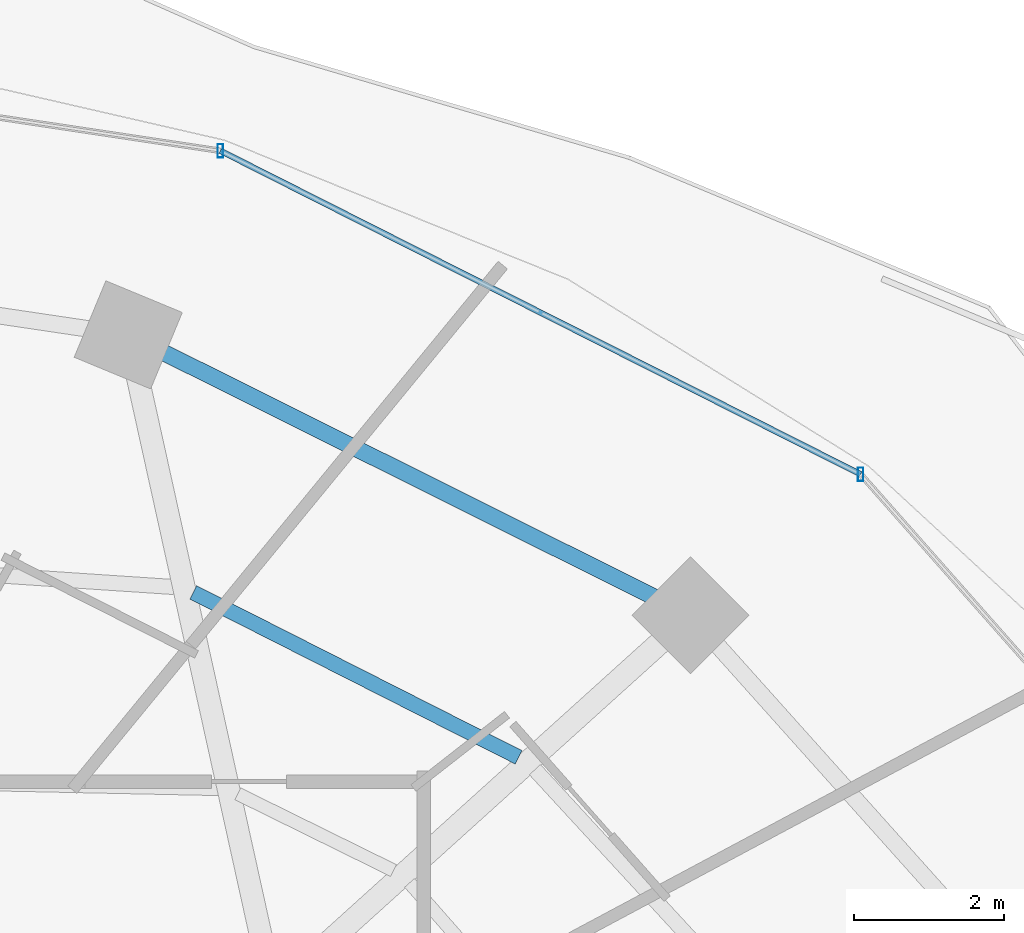
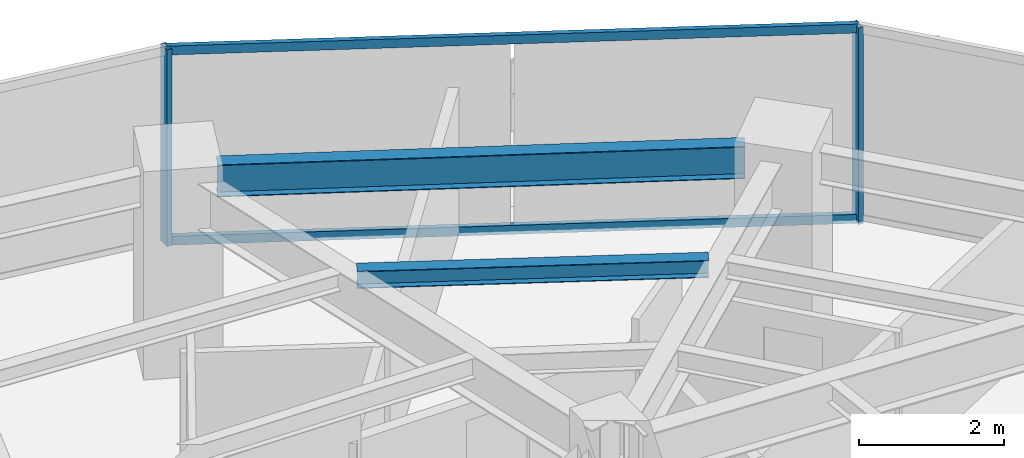
# One storey, part 20 of 29: 4 members, 2 beams, 1 element without a shape of its own.
"""IFC4 building model written with IfcOpenShell, lengths in metres."""

from ifc_helpers import new_model, si_unit, direction, frame, origin, origin_2d, place, context, subcontext, project, spatial, hollow_rectangle, i_section, extrude, material, material_profile, profile_set, type_object, element, aggregate, save


model = new_model("IFC4")

# Units and contexts
model_context = context("Model", 3, precision=1e-05, world=origin(), true_north=direction((0.0, 1.0)))
body_context = subcontext(model_context, "Body", "Model", "MODEL_VIEW")
ifc_project = project(units=[si_unit("LENGTHUNIT", "METRE"), si_unit("AREAUNIT", "SQUARE_METRE"), si_unit("VOLUMEUNIT", "CUBIC_METRE"), si_unit("PLANEANGLEUNIT", "RADIAN"), si_unit("MASSUNIT", "GRAM", prefix="KILO")], contexts=[model_context])

# Site, building, storey
site_placement = place(None, origin())
site = spatial("IfcSite", under=ifc_project, at=site_placement, CompositionType="ELEMENT")
building_placement = place(site_placement, origin())
building = spatial("IfcBuilding", under=site, at=building_placement, Name="Vorneva Point Tower", CompositionType="ELEMENT")
storey_placement = place(building_placement, frame((0.0, 0.0, 117.300048828125)))
storey = spatial("IfcBuildingStorey", under=building, at=storey_placement, Name="L31", CompositionType="ELEMENT", Elevation=117.300048828125)

# Beams
ifc_material_1 = material(Name="Steel S355", Category="steel")
ifc_material_profile_1 = material_profile(ifc_material_1, i_section(OverallWidth=0.199951171875, OverallDepth=0.291015625, WebThickness=0.008056640625, FlangeThickness=0.010986328125, at=origin_2d()), Name="30Sh1")
ifc_profile_set_1 = profile_set([ifc_material_profile_1], Name="Steel S355")
beam_type_1 = type_object("IfcBeamType", Name="BM-SEC-30Sh1", PredefinedType="BEAM", material=ifc_profile_set_1)
beam_1_placement = place(storey_placement, frame((52.013427734375, 36.271484375, 3.094482421875), z_axis=(-0.891957851433, 0.452118558862, 0.0), x_axis=(-0.452118558862, -0.891957851433, 0.0)))
element("IfcBeam", 1, at=beam_1_placement, inside=storey, type_object=beam_type_1, Name="L31 Secondary Floor Beam 1.03", PredefinedType="BEAM", context=body_context, shape_type="SweptSolid", body=[
    extrude(i_section(OverallWidth=0.199951171875, OverallDepth=0.291015625, WebThickness=0.008056640625, FlangeThickness=0.010986328125, at=origin_2d()), origin(), (0.0, 0.0, 1.0), 4.851318359375),
])
ifc_material_profile_2 = material_profile(ifc_material_1, i_section(OverallWidth=0.219970703125, OverallDepth=0.54296875, WebThickness=0.009521484375, FlangeThickness=0.013427734375, at=origin_2d()), Name="55B1")
ifc_profile_set_2 = profile_set([ifc_material_profile_2], Name="Steel S355")
beam_type_2 = type_object("IfcBeamType", Name="BM-SPN-55B1", PredefinedType="SPANDREL", material=ifc_profile_set_2)
beam_2_placement = place(storey_placement, frame((53.820068359375, 38.40087890625, 2.968505859375), z_axis=(-0.894915882304, 0.446234874926, 0.0), x_axis=(-0.446234874926, -0.894915882304, 0.0)))
element("IfcBeam", 2, at=beam_2_placement, inside=storey, type_object=beam_type_2, Name="L31 Perimeter Spandrel Ring Beam 03", PredefinedType="SPANDREL", context=body_context, shape_type="SweptSolid", body=[
    extrude(i_section(OverallWidth=0.219970703125, OverallDepth=0.54296875, WebThickness=0.009521484375, FlangeThickness=0.013427734375, at=origin_2d()), origin(), (0.0, 0.0, 1.0), 7.285888671875),
])

# Curtain wall, members
ifc_material_2 = material(Name="Pale anodised aluminium", Category="aluminium")
curtain_wall_type = type_object("IfcCurtainWallType", Name="CW-HTL-SYS", PredefinedType="NOTDEFINED", material=ifc_material_2)
curtain_wall_placement = place(storey_placement, origin())
curtain_wall = element("IfcCurtainWall", 3, at=curtain_wall_placement, inside=storey, type_object=curtain_wall_type, Name="L31 Unitised Curtain Wall CW-L31-R01", PredefinedType="NOTDEFINED")
ifc_material_profile_3 = material_profile(ifc_material_2, hollow_rectangle(XDim=0.074951171875, YDim=0.179931640625, WallThickness=0.00390625, at=origin_2d()), Name="AL-MUL 180x75x4")
ifc_profile_set_3 = profile_set([ifc_material_profile_3], Name="Pale anodised aluminium")
member_type_1 = type_object("IfcMemberType", Name="CW-MUL-180", PredefinedType="MULLION", material=ifc_profile_set_3)
member_1_placement = place(storey_placement, frame((56.5615234375, 40.0361328125, -0.0400390625), z_axis=(0.0, 0.0, 1.0), x_axis=(1.0, 0.0, 0.0)))
member_1 = element("IfcMember", 4, at=member_1_placement, type_object=member_type_1, Name="CW-L31-R01 Mullion 02", PredefinedType="MULLION", context=body_context, shape_type="SweptSolid", body=[
    extrude(hollow_rectangle(XDim=0.074951171875, YDim=0.179931640625, WallThickness=0.00390625, at=origin_2d()), origin(), (0.0, 0.0, 1.0), 3.31005859375),
])
member_2_placement = place(storey_placement, frame((48.04541015625, 44.339111328125, -0.0400390625), z_axis=(0.0, 0.0, 1.0), x_axis=(1.0, 0.0, 0.0)))
member_2 = element("IfcMember", 5, at=member_2_placement, type_object=member_type_1, Name="CW-L31-R01 Mullion 03", PredefinedType="MULLION", context=body_context, shape_type="SweptSolid", body=[
    extrude(hollow_rectangle(XDim=0.074951171875, YDim=0.179931640625, WallThickness=0.00390625, at=origin_2d()), origin(), (0.0, 0.0, 1.0), 3.31005859375),
])
ifc_material_profile_4 = material_profile(ifc_material_2, hollow_rectangle(XDim=0.074951171875, YDim=0.14990234375, WallThickness=0.00390625, at=origin_2d()), Name="AL-TRN 150x75x4")
ifc_profile_set_4 = profile_set([ifc_material_profile_4], Name="Pale anodised aluminium")
member_type_2 = type_object("IfcMemberType", Name="CW-TRN-150", PredefinedType="USERDEFINED", material=ifc_profile_set_4)
member_3_placement = place(storey_placement, frame((56.5615234375, 40.0361328125, 0.02001953125), z_axis=(-0.892536035732, 0.450976080207, 0.0), x_axis=(-0.450976080207, -0.892536035732, 0.0)))
member_3 = element("IfcMember", 6, at=member_3_placement, type_object=member_type_2, Name="CW-L31-R01 Transom 02.1", ObjectType="TRANSOM", PredefinedType="USERDEFINED", context=body_context, shape_type="SweptSolid", body=[
    extrude(hollow_rectangle(XDim=0.074951171875, YDim=0.14990234375, WallThickness=0.00390625, at=origin_2d()), origin(), (0.0, 0.0, 1.0), 9.54150390625),
])
member_4_placement = place(storey_placement, frame((56.5615234375, 40.0361328125, 3.219970703125), z_axis=(-0.892536035732, 0.450976080207, 0.0), x_axis=(-0.450976080207, -0.892536035732, 0.0)))
member_4 = element("IfcMember", 7, at=member_4_placement, type_object=member_type_2, Name="CW-L31-R01 Transom 02.2", ObjectType="TRANSOM", PredefinedType="USERDEFINED", context=body_context, shape_type="SweptSolid", body=[
    extrude(hollow_rectangle(XDim=0.074951171875, YDim=0.14990234375, WallThickness=0.00390625, at=origin_2d()), origin(), (0.0, 0.0, 1.0), 9.54150390625),
])
aggregate(curtain_wall, [member_1, member_2, member_3, member_4])

save(model, "model.ifc")
